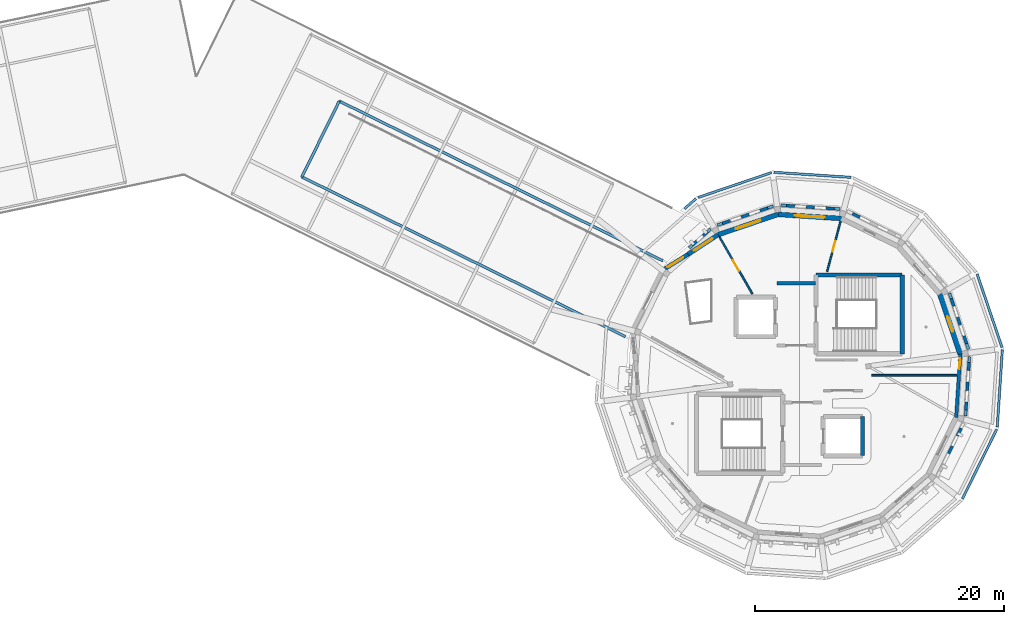
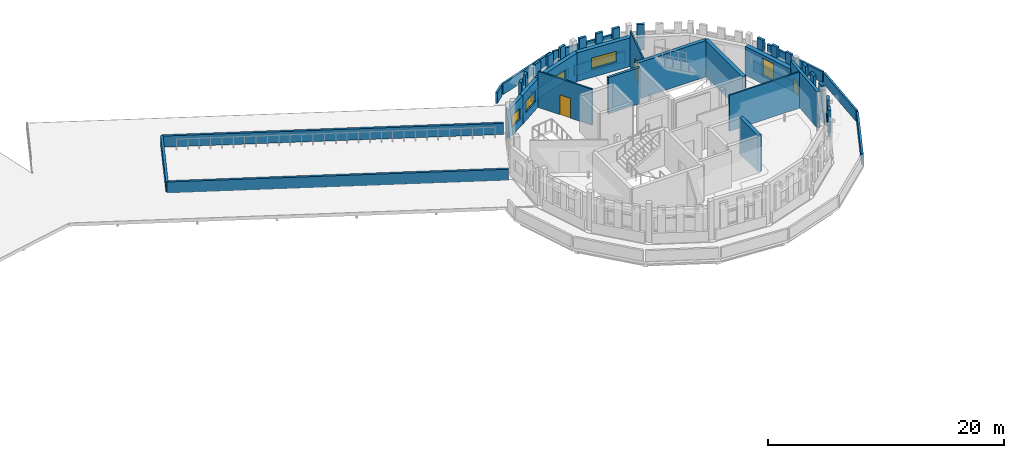
# One storey, part 44 of 51: 44 walls, 6 windows, 2 doors, 8 openings.
"""IFC4 building model written with IfcOpenShell, lengths in metres."""

from ifc_helpers import new_model, si_unit, direction, frame, frame_2d, origin, place, context, subcontext, project, spatial, rectangle, extrude, material, layer, layer_set, type_object, element, fill, save


model = new_model("IFC4")

# Units and contexts
model_context = context("Model", 3, precision=1e-05, world=origin(), true_north=direction((0.0, 1.0)))
body_context = subcontext(model_context, "Body", "Model", "MODEL_VIEW")
ifc_project = project(units=[si_unit("LENGTHUNIT", "METRE"), si_unit("AREAUNIT", "SQUARE_METRE"), si_unit("VOLUMEUNIT", "CUBIC_METRE"), si_unit("PLANEANGLEUNIT", "RADIAN"), si_unit("MASSUNIT", "GRAM", prefix="KILO")], contexts=[model_context])

# Site, building, storey
site_placement = place(None, origin())
site = spatial("IfcSite", under=ifc_project, at=site_placement, CompositionType="ELEMENT")
building_placement = place(site_placement, origin())
building = spatial("IfcBuilding", under=site, at=building_placement, Name="Wrenclough Park School", CompositionType="ELEMENT")
storey_placement = place(building_placement, frame((0.0, 0.0, 16.800048828125)))
storey = spatial("IfcBuildingStorey", under=building, at=storey_placement, Name="L04", CompositionType="ELEMENT", Elevation=16.800048828125)

# Walls
ifc_material_1 = material(Name="Perforated open-bond Staffordshire and Manchester brick screen pier", Category="masonry")
ifc_layer_1 = layer(ifc_material_1, 0.2451171875)
ifc_layer_set_1 = layer_set([ifc_layer_1], Name="Perforated open-bond Staffordshire and Manchester brick screen pier")
wall_type_1 = type_object("IfcWallType", Name="ENV-BS-PR245", PredefinedType="ELEMENTEDWALL", material=ifc_layer_set_1)
for number, where, z_axis, x_axis, name in (
    (1, (187.94970703125, 96.035400390625, 1.08984375), (0.0, 0.0, 1.0), (-0.321384268643, 0.946948864442, 0.0), "D5 L04 perforated brick screen pier 0962"),
    (2, (187.43896484375, 97.540283203125, 1.08984375), (0.0, 0.0, 1.0), (-0.321384268643, 0.946948864442, 0.0), "D5 L04 perforated brick screen pier 0963"),
    (3, (186.92822265625, 99.045166015625, 1.08984375), (0.0, 0.0, 1.0), (-0.321384268643, 0.946948864442, 0.0), "D5 L04 perforated brick screen pier 0964"),
):
    element("IfcWall", number, at=place(storey_placement, frame(where, z_axis=z_axis, x_axis=x_axis)), inside=storey, type_object=wall_type_1, Name=name, PredefinedType="ELEMENTEDWALL", context=body_context, shape_type="SweptSolid", body=[
        extrude(rectangle(XDim=0.6669921875, YDim=0.2451171875, at=frame_2d((0.33349609375, 0.0))), origin(), (0.0, 0.0, 1.0), 2.650146484375),
    ])
wall_1_placement = place(storey_placement, frame((179.367431640625, 106.208984375, 1.08984375), z_axis=(0.0, 0.0, 1.0), x_axis=(-0.896898673202, 0.442236102109, 0.0)))
element("IfcWall", 4, at=wall_1_placement, inside=storey, type_object=wall_type_1, Name="D5 L04 perforated brick screen pier 0970", PredefinedType="ELEMENTEDWALL", context=body_context, shape_type="SweptSolid", body=[
    extrude(rectangle(XDim=0.66796875, YDim=0.2451171875, at=frame_2d((0.333984375, 0.0))), origin(), (0.0, 0.0, 1.0), 2.650146484375),
])
wall_2_placement = place(storey_placement, frame((177.305419921875, 106.896240234375, 1.08984375), z_axis=(0.0, 0.0, 1.0), x_axis=(-0.997858904089, 0.065403421396, 0.0)))
element("IfcWall", 5, at=wall_2_placement, inside=storey, type_object=wall_type_1, Name="D5 L04 perforated brick screen pier 0971", PredefinedType="ELEMENTEDWALL", context=body_context, shape_type="SweptSolid", body=[
    extrude(rectangle(XDim=0.668212890625, YDim=0.2451171875, at=frame_2d((0.333984375, 0.0))), origin(), (0.0, 0.0, 1.0), 2.650146484375),
])
for number, where, z_axis, x_axis, name in (
    (6, (175.71923828125, 107.000244140625, 1.08984375), (0.0, 0.0, 1.0), (-0.997881137909, 0.065063312289, 0.0), "D5 L04 perforated brick screen pier 0972"),
    (7, (174.13330078125, 107.10400390625, 1.08984375), (0.0, 0.0, 1.0), (-0.997857340272, 0.065427276157, 0.0), "D5 L04 perforated brick screen pier 0973"),
):
    element("IfcWall", number, at=place(storey_placement, frame(where, z_axis=z_axis, x_axis=x_axis)), inside=storey, type_object=wall_type_1, Name=name, PredefinedType="ELEMENTEDWALL", context=body_context, shape_type="SweptSolid", body=[
        extrude(rectangle(XDim=0.66796875, YDim=0.2451171875, at=frame_2d((0.333984375, 0.0))), origin(), (0.0, 0.0, 1.0), 2.650146484375),
    ])
for number, where, z_axis, x_axis, name in (
    (8, (171.964599609375, 106.94970703125, 1.08984375), (0.0, 0.0, 1.0), (-0.946948864442, -0.321384268643, 0.0), "D5 L04 perforated brick screen pier 0974"),
    (9, (170.459716796875, 106.43896484375, 1.08984375), (0.0, 0.0, 1.0), (-0.946948864442, -0.321384268643, 0.0), "D5 L04 perforated brick screen pier 0975"),
    (10, (168.954833984375, 105.92822265625, 1.08984375), (0.0, 0.0, 1.0), (-0.946948864442, -0.321384268643, 0.0), "D5 L04 perforated brick screen pier 0976"),
):
    element("IfcWall", number, at=place(storey_placement, frame(where, z_axis=z_axis, x_axis=x_axis)), inside=storey, type_object=wall_type_1, Name=name, PredefinedType="ELEMENTEDWALL", context=body_context, shape_type="SweptSolid", body=[
        extrude(rectangle(XDim=0.6669921875, YDim=0.2451171875, at=frame_2d((0.33349609375, 0.0))), origin(), (0.0, 0.0, 1.0), 2.650146484375),
    ])
for number, where, z_axis, x_axis, name in (
    (11, (167.107177734375, 105.04052734375, 1.08984375), (0.0, 0.0, 1.0), (-0.751697433768, -0.659508125853, 0.0), "D5 L04 perforated brick screen pier 0977"),
    (12, (166.243896484375, 104.28369140625, 1.08984375), (0.0, 0.0, 1.0), (-0.751697433768, -0.659508125853, 0.0), "D5 L04 perforated brick screen pier 0978"),
):
    element("IfcWall", number, at=place(storey_placement, frame(where, z_axis=z_axis, x_axis=x_axis)), inside=storey, type_object=wall_type_1, Name=name, PredefinedType="ELEMENTEDWALL", context=body_context, shape_type="SweptSolid", body=[
        extrude(rectangle(XDim=0.48193359375, YDim=0.2451171875, at=frame_2d((0.240966796875, 0.0))), origin(), (0.0, 0.0, 1.0), 2.650146484375),
    ])
for number, where, z_axis, x_axis, name in (
    (13, (186.505859375, 87.20703125, 1.08984375), (0.0, 0.0, 1.0), (0.442236102109, 0.896898673202, 0.0), "D5 L04 perforated brick screen pier 1000"),
    (14, (187.208984375, 88.632568359375, 1.08984375), (0.0, 0.0, 1.0), (0.442236102109, 0.896898673202, 0.0), "D5 L04 perforated brick screen pier 1001"),
):
    element("IfcWall", number, at=place(storey_placement, frame(where, z_axis=z_axis, x_axis=x_axis)), inside=storey, type_object=wall_type_1, Name=name, PredefinedType="ELEMENTEDWALL", context=body_context, shape_type="SweptSolid", body=[
        extrude(rectangle(XDim=0.66796875, YDim=0.2451171875, at=frame_2d((0.333984375, 0.0))), origin(), (0.0, 0.0, 1.0), 2.650146484375),
    ])
wall_3_placement = place(storey_placement, frame((187.896240234375, 90.694580078125, 1.08984375), z_axis=(0.0, 0.0, 1.0), x_axis=(0.065403421396, 0.997858904089, 0.0)))
element("IfcWall", 15, at=wall_3_placement, inside=storey, type_object=wall_type_1, Name="D5 L04 perforated brick screen pier 1002", PredefinedType="ELEMENTEDWALL", context=body_context, shape_type="SweptSolid", body=[
    extrude(rectangle(XDim=0.668212890625, YDim=0.2451171875, at=frame_2d((0.333984375, 0.0))), origin(), (0.0, 0.0, 1.0), 2.650146484375),
])
for number, where, z_axis, x_axis, name in (
    (16, (188.000244140625, 92.28076171875, 1.08984375), (0.0, 0.0, 1.0), (0.065063312289, 0.997881137909, 0.0), "D5 L04 perforated brick screen pier 1003"),
    (17, (188.10400390625, 93.86669921875, 1.08984375), (0.0, 0.0, 1.0), (0.065427276157, 0.997857340272, 0.0), "D5 L04 perforated brick screen pier 1004"),
):
    element("IfcWall", number, at=place(storey_placement, frame(where, z_axis=z_axis, x_axis=x_axis)), inside=storey, type_object=wall_type_1, Name=name, PredefinedType="ELEMENTEDWALL", context=body_context, shape_type="SweptSolid", body=[
        extrude(rectangle(XDim=0.66796875, YDim=0.2451171875, at=frame_2d((0.333984375, 0.0))), origin(), (0.0, 0.0, 1.0), 2.650146484375),
    ])
ifc_material_2 = material(Name="Open-bond Manchester multi-stock brick spandrel screen", Category="masonry")
ifc_layer_2 = layer(ifc_material_2, 0.22509765625)
ifc_layer_set_2 = layer_set([ifc_layer_2], Name="Open-bond Manchester multi-stock brick spandrel screen")
wall_type_2 = type_object("IfcWallType", Name="ENV-BS-SP225", PredefinedType="ELEMENTEDWALL", material=ifc_layer_set_2)
wall_4_placement = place(storey_placement, frame((188.097900390625, 95.5986328125, 0.0), z_axis=(0.0, 0.0, 1.0), x_axis=(-0.321384907644, 0.946948647572, 0.0)))
element("IfcWall", 18, at=wall_4_placement, inside=storey, type_object=wall_type_2, Name="D5 L04 open-bond brick screen spandrel 0266", PredefinedType="ELEMENTEDWALL", context=body_context, shape_type="SweptSolid", body=[
    extrude(rectangle(XDim=4.767578125, YDim=0.22509765625, at=frame_2d((2.3837890625, 0.0))), origin(), (0.0, 0.0, 1.0), 1.08984375),
])
wall_5_placement = place(storey_placement, frame((177.764892578125, 106.8662109375, 0.0), z_axis=(0.0, 0.0, 1.0), x_axis=(-0.997859962399, 0.065387272782, 0.0)))
element("IfcWall", 19, at=wall_5_placement, inside=storey, type_object=wall_type_2, Name="D5 L04 open-bond brick screen spandrel 0269", PredefinedType="ELEMENTEDWALL", context=body_context, shape_type="SweptSolid", body=[
    extrude(rectangle(XDim=4.76806640625, YDim=0.22509765625, at=frame_2d((2.384033203125, 0.0))), origin(), (0.0, 0.0, 1.0), 1.08984375),
])
wall_6_placement = place(storey_placement, frame((172.4013671875, 107.097900390625, 0.0), z_axis=(0.0, 0.0, 1.0), x_axis=(-0.946948647572, -0.321384907644, 0.0)))
element("IfcWall", 20, at=wall_6_placement, inside=storey, type_object=wall_type_2, Name="D5 L04 open-bond brick screen spandrel 0270", PredefinedType="ELEMENTEDWALL", context=body_context, shape_type="SweptSolid", body=[
    extrude(rectangle(XDim=4.767578125, YDim=0.22509765625, at=frame_2d((2.3837890625, 0.0))), origin(), (0.0, 0.0, 1.0), 1.08984375),
])
wall_7_placement = place(storey_placement, frame((167.357421875, 105.260009765625, 0.0), z_axis=(0.0, 0.0, 1.0), x_axis=(-0.751798879015, -0.659392482146, 0.0)))
element("IfcWall", 21, at=wall_7_placement, inside=storey, type_object=wall_type_2, Name="D5 L04 open-bond brick screen spandrel 0271", PredefinedType="ELEMENTEDWALL", context=body_context, shape_type="SweptSolid", body=[
    extrude(rectangle(XDim=2.2958984375, YDim=0.22509765625, at=frame_2d((1.14794921875, 0.0))), origin(), (0.0, 0.0, 1.0), 1.08984375),
])
wall_8_placement = place(storey_placement, frame((187.8662109375, 90.235107421875, 0.0), z_axis=(0.0, 0.0, 1.0), x_axis=(0.065387272782, 0.997859962399, 0.0)))
element("IfcWall", 22, at=wall_8_placement, inside=storey, type_object=wall_type_2, Name="D5 L04 open-bond brick screen spandrel 0280", PredefinedType="ELEMENTEDWALL", context=body_context, shape_type="SweptSolid", body=[
    extrude(rectangle(XDim=4.76806640625, YDim=0.22509765625, at=frame_2d((2.384033203125, 0.0))), origin(), (0.0, 0.0, 1.0), 1.08984375),
])

# Wall, opening, window
ifc_material_3 = material(Name="Link wing brick-faced cavity wall Concrete C32/40", Category="masonry")
ifc_layer_3 = layer(ifc_material_3, 0.27490234375)
ifc_layer_set_3 = layer_set([ifc_layer_3], Name="Link wing brick-faced cavity wall Concrete C32/40")
wall_type_3 = type_object("IfcWallType", Name="ENV-EW-275", PredefinedType="SOLIDWALL", material=ifc_layer_set_3)
wall_9_placement = place(storey_placement, frame((187.44580078125, 95.204345703125, 0.0), z_axis=(0.0, 0.0, 1.0), x_axis=(-0.065364406289, -0.99786146052, 0.0)))
wall_9 = element("IfcWall", 23, at=wall_9_placement, inside=storey, type_object=wall_type_3, Name="L04 insulated brick external wall 0350", PredefinedType="SOLIDWALL", context=body_context, shape_type="SweptSolid", body=[
    extrude(rectangle(XDim=5.0947265625, YDim=0.27490234375, at=frame_2d((2.54736328125, 0.0))), origin(), (0.0, 0.0, 1.0), 3.739990234375),
])
opening_1_placement = place(wall_9_placement, frame((0.35009765625, 0.0, 0.85009765625)))
opening_1 = element("IfcOpeningElement", 24, at=opening_1_placement, cuts=wall_9, Name="Opening WN-01", PredefinedType="OPENING", context=body_context, shape_type="SweptSolid", body=[
    extrude(rectangle(XDim=0.85009765625, YDim=1.39990234375, at=frame_2d((0.425048828125, 0.699951171875))), frame((0.0, 0.1474609375, 0.0), z_axis=(0.0, -1.0, 0.0), x_axis=(1.0, 0.0, 0.0)), (0.0, 0.0, 1.0), 0.294921875),
])
ifc_material_4 = material(Name="Thermally broken aluminium and double-glazed low-e glass", Category="aluminium")
window_type_1 = type_object("IfcWindowType", Name="ENV-WN-01", PartitioningType="SINGLE_PANEL", PredefinedType="WINDOW", material=ifc_material_4)
window_1_placement = place(opening_1_placement, origin())
window_1 = element("IfcWindow", 25, at=window_1_placement, inside=storey, type_object=window_type_1, Name="L04 scheduled facade window 0587", OverallHeight=1.39990234375, OverallWidth=0.85009765625, PartitioningType="SINGLE_PANEL", PredefinedType="WINDOW", context=body_context, shape_type="SweptSolid", body=[
    extrude(rectangle(XDim=0.85009765625, YDim=1.39990234375, at=frame_2d((0.425048828125, 0.699951171875))), frame((0.0, 0.030029296875, 0.0), z_axis=(0.0, -1.0, 0.0), x_axis=(1.0, 0.0, 0.0)), (0.0, 0.0, 1.0), 0.06005859375),
])
fill(opening_1, window_1)

ifc_material_5 = material(Name="Manchester multi-stock brick and Concrete C32/40 inner leaf", Category="masonry")
ifc_layer_4 = layer(ifc_material_5, 0.324951171875)
ifc_layer_set_4 = layer_set([ifc_layer_4], Name="Manchester multi-stock brick and Concrete C32/40 inner leaf")
wall_type_4 = type_object("IfcWallType", Name="ENV-EW-325", PredefinedType="SOLIDWALL", material=ifc_layer_set_4)
wall_10_placement = place(storey_placement, frame((163.490234375, 101.9482421875, 0.0), z_axis=(0.0, 0.0, 1.0), x_axis=(0.850137262185, 0.526561141222, 0.0)))
wall_10 = element("IfcWall", 26, at=wall_10_placement, inside=storey, type_object=wall_type_4, Name="L04 insulated brick external wall 0361", PredefinedType="SOLIDWALL", context=body_context, shape_type="SweptSolid", body=[
    extrude(rectangle(XDim=2.441650390625, YDim=0.324951171875, at=frame_2d((1.220703125, 0.0))), origin(), (0.0, 0.0, 1.0), 2.98193359375),
])
opening_2_placement = place(wall_10_placement, frame((0.470703125, 0.0, 0.85009765625)))
opening_2 = element("IfcOpeningElement", 27, at=opening_2_placement, cuts=wall_10, Name="Opening WN-38", PredefinedType="OPENING", context=body_context, shape_type="SweptSolid", body=[
    extrude(rectangle(XDim=1.5, YDim=1.14990234375, at=frame_2d((0.75, 0.574951171875))), frame((0.0, 0.17236328125, 0.0), z_axis=(0.0, -1.0, 0.0), x_axis=(1.0, 0.0, 0.0)), (0.0, 0.0, 1.0), 0.344970703125),
])
window_type_2 = type_object("IfcWindowType", Name="ENV-WN-38", PartitioningType="DOUBLE_PANEL_VERTICAL", PredefinedType="WINDOW", material=ifc_material_4)
window_2_placement = place(opening_2_placement, origin())
window_2 = element("IfcWindow", 28, at=window_2_placement, inside=storey, type_object=window_type_2, Name="L04 scheduled facade window 0597", OverallHeight=1.14990234375, OverallWidth=1.5, PartitioningType="SINGLE_PANEL", PredefinedType="WINDOW", context=body_context, shape_type="SweptSolid", body=[
    extrude(rectangle(XDim=1.5, YDim=1.14990234375, at=frame_2d((0.75, 0.574951171875))), frame((0.0, 0.030029296875, 0.0), z_axis=(0.0, -1.0, 0.0), x_axis=(1.0, 0.0, 0.0)), (0.0, 0.0, 1.0), 0.06005859375),
])
fill(opening_2, window_2)

ifc_material_6 = material(Name="Staffordshire blue-grey brick and Concrete C35/45 inner leaf", Category="masonry")
ifc_layer_5 = layer(ifc_material_6, 0.35009765625)
ifc_layer_set_5 = layer_set([ifc_layer_5], Name="Staffordshire blue-grey brick and Concrete C35/45 inner leaf")
wall_type_5 = type_object("IfcWallType", Name="ENV-EW-350", PredefinedType="SOLIDWALL", material=ifc_layer_set_5)
wall_11_placement = place(storey_placement, frame((165.56591796875, 103.23388671875, 0.0), z_axis=(0.0, 0.0, 1.0), x_axis=(0.83668524292, 0.547684036905, 0.0)))
wall_11 = element("IfcWall", 29, at=wall_11_placement, inside=storey, type_object=wall_type_5, Name="L04 insulated brick external wall 0362", PredefinedType="SOLIDWALL", context=body_context, shape_type="SweptSolid", body=[
    extrude(rectangle(XDim=2.874755859375, YDim=0.35009765625, at=frame_2d((1.4375, 0.0))), origin(), (0.0, 0.0, 1.0), 2.98193359375),
])
opening_3_placement = place(wall_11_placement, frame((0.537353515625, 0.0, 0.85009765625)))
opening_3 = element("IfcOpeningElement", 30, at=opening_3_placement, cuts=wall_11, Name="Opening WN-39", PredefinedType="OPENING", context=body_context, shape_type="SweptSolid", body=[
    extrude(rectangle(XDim=1.800048828125, YDim=1.14990234375, at=frame_2d((0.89990234375, 0.574951171875))), frame((0.0, 0.18505859375, 0.0), z_axis=(0.0, -1.0, 0.0), x_axis=(1.0, 0.0, 0.0)), (0.0, 0.0, 1.0), 0.3701171875),
])
window_type_3 = type_object("IfcWindowType", Name="ENV-WN-39", PartitioningType="DOUBLE_PANEL_VERTICAL", PredefinedType="WINDOW", material=ifc_material_4)
window_3_placement = place(opening_3_placement, origin())
window_3 = element("IfcWindow", 31, at=window_3_placement, inside=storey, type_object=window_type_3, Name="L04 scheduled facade window 0598", OverallHeight=1.14990234375, OverallWidth=1.800048828125, PartitioningType="SINGLE_PANEL", PredefinedType="WINDOW", context=body_context, shape_type="SweptSolid", body=[
    extrude(rectangle(XDim=1.800048828125, YDim=1.14990234375, at=frame_2d((0.89990234375, 0.574951171875))), frame((0.0, 0.030029296875, 0.0), z_axis=(0.0, -1.0, 0.0), x_axis=(1.0, 0.0, 0.0)), (0.0, 0.0, 1.0), 0.06005859375),
])
fill(opening_3, window_3)

ifc_material_7 = material(Name="Manchester multi-stock brick and Concrete C35/45 inner leaf", Category="masonry")
ifc_layer_6 = layer(ifc_material_7, 0.3798828125)
ifc_layer_set_6 = layer_set([ifc_layer_6], Name="Manchester multi-stock brick and Concrete C35/45 inner leaf")
wall_type_6 = type_object("IfcWallType", Name="ENV-EW-380", PredefinedType="SOLIDWALL", material=ifc_layer_set_6)
wall_12_placement = place(storey_placement, frame((167.97119140625, 104.808349609375, 0.0), z_axis=(0.0, 0.0, 1.0), x_axis=(0.946944067006, 0.321398403796, 0.0)))
wall_12 = element("IfcWall", 32, at=wall_12_placement, inside=storey, type_object=wall_type_6, Name="L04 insulated brick external wall 0363", PredefinedType="SOLIDWALL", context=body_context, shape_type="SweptSolid", body=[
    extrude(rectangle(XDim=5.0947265625, YDim=0.3798828125, at=frame_2d((2.54736328125, 0.0))), origin(), (0.0, 0.0, 1.0), 2.98193359375),
])
opening_4_placement = place(wall_12_placement, frame((1.49755859375, 0.0, 0.85009765625)))
opening_4 = element("IfcOpeningElement", 33, at=opening_4_placement, cuts=wall_12, Name="Opening WN-40", PredefinedType="OPENING", context=body_context, shape_type="SweptSolid", body=[
    extrude(rectangle(XDim=2.10009765625, YDim=1.14990234375, at=frame_2d((1.050048828125, 0.574951171875))), frame((0.0, 0.199951171875, 0.0), z_axis=(0.0, -1.0, 0.0), x_axis=(1.0, 0.0, 0.0)), (0.0, 0.0, 1.0), 0.39990234375),
])
window_type_4 = type_object("IfcWindowType", Name="ENV-WN-40", PartitioningType="DOUBLE_PANEL_VERTICAL", PredefinedType="WINDOW", material=ifc_material_4)
window_4_placement = place(opening_4_placement, origin())
window_4 = element("IfcWindow", 34, at=window_4_placement, inside=storey, type_object=window_type_4, Name="L04 scheduled facade window 0599", OverallHeight=1.14990234375, OverallWidth=2.10009765625, PartitioningType="SINGLE_PANEL", PredefinedType="WINDOW", context=body_context, shape_type="SweptSolid", body=[
    extrude(rectangle(XDim=2.10009765625, YDim=1.14990234375, at=frame_2d((1.050048828125, 0.574951171875))), frame((0.0, 0.030029296875, 0.0), z_axis=(0.0, -1.0, 0.0), x_axis=(1.0, 0.0, 0.0)), (0.0, 0.0, 1.0), 0.06005859375),
])
fill(opening_4, window_4)

ifc_material_8 = material(Name="Staffordshire blue-grey brick and Concrete C40/50 acoustic leaf", Category="masonry")
ifc_layer_7 = layer(ifc_material_8, 0.39990234375)
ifc_layer_set_7 = layer_set([ifc_layer_7], Name="Staffordshire blue-grey brick and Concrete C40/50 acoustic leaf")
wall_type_7 = type_object("IfcWallType", Name="ENV-EW-400", PredefinedType="SOLIDWALL", material=ifc_layer_set_7)
wall_13_placement = place(storey_placement, frame((172.795654296875, 106.44580078125, 0.0), z_axis=(0.0, 0.0, 1.0), x_axis=(0.99786146052, -0.065364406289, 0.0)))
wall_13 = element("IfcWall", 35, at=wall_13_placement, inside=storey, type_object=wall_type_7, Name="L04 insulated brick external wall 0364", PredefinedType="SOLIDWALL", context=body_context, shape_type="SweptSolid", body=[
    extrude(rectangle(XDim=5.0947265625, YDim=0.39990234375, at=frame_2d((2.54736328125, 0.0))), origin(), (0.0, 0.0, 1.0), 2.98193359375),
])
opening_5_placement = place(wall_13_placement, frame((1.347412109375, 0.0, 0.85009765625)))
opening_5 = element("IfcOpeningElement", 36, at=opening_5_placement, cuts=wall_13, Name="Opening WN-41", PredefinedType="OPENING", context=body_context, shape_type="SweptSolid", body=[
    extrude(rectangle(XDim=2.39990234375, YDim=1.14990234375, at=frame_2d((1.199951171875, 0.574951171875))), frame((0.0, 0.2099609375, 0.0), z_axis=(0.0, -1.0, 0.0), x_axis=(1.0, 0.0, 0.0)), (0.0, 0.0, 1.0), 0.419921875),
])
window_type_5 = type_object("IfcWindowType", Name="ENV-WN-41", PartitioningType="DOUBLE_PANEL_VERTICAL", PredefinedType="WINDOW", material=ifc_material_4)
window_5_placement = place(opening_5_placement, origin())
window_5 = element("IfcWindow", 37, at=window_5_placement, inside=storey, type_object=window_type_5, Name="L04 scheduled facade window 0600", OverallHeight=1.14990234375, OverallWidth=2.39990234375, PartitioningType="SINGLE_PANEL", PredefinedType="WINDOW", context=body_context, shape_type="SweptSolid", body=[
    extrude(rectangle(XDim=2.39990234375, YDim=1.14990234375, at=frame_2d((1.199951171875, 0.574951171875))), frame((0.0, 0.030029296875, 0.0), z_axis=(0.0, -1.0, 0.0), x_axis=(1.0, 0.0, 0.0)), (0.0, 0.0, 1.0), 0.06005859375),
])
fill(opening_5, window_5)

ifc_material_9 = material(Name="Insulated brick-clad sports hall wall Concrete C40/50", Category="masonry")
ifc_layer_8 = layer(ifc_material_9, 0.425048828125)
ifc_layer_set_8 = layer_set([ifc_layer_8], Name="Insulated brick-clad sports hall wall Concrete C40/50")
wall_type_8 = type_object("IfcWallType", Name="ENV-EW-425", PredefinedType="SOLIDWALL", material=ifc_layer_set_8)
wall_14_placement = place(storey_placement, frame((185.808349609375, 100.02880859375, 0.0), z_axis=(0.0, 0.0, 1.0), x_axis=(0.321398403796, -0.946944067006, 0.0)))
wall_14 = element("IfcWall", 38, at=wall_14_placement, inside=storey, type_object=wall_type_8, Name="L04 insulated brick external wall 0349", PredefinedType="SOLIDWALL", context=body_context, shape_type="SweptSolid", body=[
    extrude(rectangle(XDim=5.0947265625, YDim=0.425048828125, at=frame_2d((2.54736328125, 0.0))), origin(), (0.0, 0.0, 1.0), 2.98193359375),
])
opening_6_placement = place(wall_14_placement, frame((1.8974609375, 0.0, 0.85009765625)))
opening_6 = element("IfcOpeningElement", 39, at=opening_6_placement, cuts=wall_14, Name="Opening WN-27", PredefinedType="OPENING", context=body_context, shape_type="SweptSolid", body=[
    extrude(rectangle(XDim=1.300048828125, YDim=1.800048828125, at=frame_2d((0.64990234375, 0.89990234375))), frame((0.0, 0.222412109375, 0.0), z_axis=(0.0, -1.0, 0.0), x_axis=(1.0, 0.0, 0.0)), (0.0, 0.0, 1.0), 0.445068359375),
])
window_type_6 = type_object("IfcWindowType", Name="ENV-WN-27", PartitioningType="SINGLE_PANEL", PredefinedType="WINDOW", material=ifc_material_4)
window_6_placement = place(opening_6_placement, origin())
window_6 = element("IfcWindow", 40, at=window_6_placement, inside=storey, type_object=window_type_6, Name="L04 scheduled facade window 0586", OverallHeight=1.800048828125, OverallWidth=1.300048828125, PartitioningType="SINGLE_PANEL", PredefinedType="WINDOW", context=body_context, shape_type="SweptSolid", body=[
    extrude(rectangle(XDim=1.300048828125, YDim=1.800048828125, at=frame_2d((0.64990234375, 0.89990234375))), frame((0.0, 0.030029296875, 0.0), z_axis=(0.0, -1.0, 0.0), x_axis=(1.0, 0.0, 0.0)), (0.0, 0.0, 1.0), 0.06005859375),
])
fill(opening_6, window_6)

# Walls
ifc_material_10 = material(Name="Patinated copper-coped link roof parapet", Category="masonry")
ifc_layer_9 = layer(ifc_material_10, 0.18994140625)
ifc_layer_set_9 = layer_set([ifc_layer_9], Name="Patinated copper-coped link roof parapet")
wall_type_9 = type_object("IfcWallType", Name="ENV-PW-190", PredefinedType="PARAPET", material=ifc_layer_set_9)
for number, where, z_axis, x_axis, name in (
    (41, (187.610595703125, 83.5576171875, 0.0), (0.0, 0.0, 1.0), (0.442290327495, 0.896871934116, 0.0), "D5-STEP-ROOF cylindrical drum parapet wall 062"),
    (42, (190.41748046875, 89.33154296875, 0.0), (0.0, 0.0, 1.0), (0.065409601125, 0.997858499027, 0.0), "D5-STEP-ROOF cylindrical drum parapet wall 063"),
    (43, (190.801025390625, 95.740234375, 0.0), (0.0, 0.0, 1.0), (-0.321448662143, 0.946927007539, 0.0), "D5-STEP-ROOF cylindrical drum parapet wall 064"),
    (44, (178.66845703125, 109.41748046875, 0.0), (0.0, 0.0, 1.0), (-0.997858499027, 0.065409601125, 0.0), "D5-STEP-ROOF cylindrical drum parapet wall 067"),
    (45, (172.259765625, 109.801025390625, 0.0), (0.0, 0.0, 1.0), (-0.946927007539, -0.321448662143, 0.0), "D5-STEP-ROOF cylindrical drum parapet wall 068"),
):
    element("IfcWall", number, at=place(storey_placement, frame(where, z_axis=z_axis, x_axis=x_axis)), inside=storey, type_object=wall_type_9, Name=name, PredefinedType="PARAPET", context=body_context, shape_type="SweptSolid", body=[
        extrude(rectangle(XDim=6.237060546875, YDim=0.18994140625, at=frame_2d((3.11865234375, 0.0))), origin(), (0.0, 0.0, 1.0), 1.119873046875),
    ])
wall_15_placement = place(storey_placement, frame((166.192138671875, 107.702880859375, 0.0), z_axis=(0.0, 0.0, 1.0), x_axis=(-0.751859704857, -0.659323125798, 0.0)))
element("IfcWall", 46, at=wall_15_placement, inside=storey, type_object=wall_type_9, Name="D5-STEP-ROOF cylindrical drum parapet wall 069", PredefinedType="PARAPET", context=body_context, shape_type="SweptSolid", body=[
    extrude(rectangle(XDim=1.22412109375, YDim=0.18994140625, at=frame_2d((0.612060546875, 0.0))), origin(), (0.0, 0.0, 1.0), 1.119873046875),
])
ifc_material_11 = material(Name="Capped Staffordshire blue-grey brick parapet", Category="masonry")
ifc_layer_10 = layer(ifc_material_11, 0.215087890625)
ifc_layer_set_10 = layer_set([ifc_layer_10], Name="Capped Staffordshire blue-grey brick parapet")
wall_type_10 = type_object("IfcWallType", Name="ENV-PW-215", PredefinedType="PARAPET", material=ifc_layer_set_10)
wall_16_placement = place(storey_placement, frame((134.495361328125, 109.451171875, 0.0), z_axis=(0.0, 0.0, 1.0), x_axis=(0.896743441965, -0.442550787247, 0.0)))
element("IfcWall", 47, at=wall_16_placement, inside=storey, type_object=wall_type_10, Name="Play deck PD-4 dividing parapet wall 013", PredefinedType="PARAPET", context=body_context, shape_type="SweptSolid", body=[
    extrude(rectangle(XDim=29.023681640625, YDim=0.215087890625, at=frame_2d((14.51171875, 0.0))), origin(), (0.0, 0.0, 1.0), 1.14990234375),
])
wall_17_placement = place(storey_placement, frame((163.53271484375, 102.703857421875, 0.0), z_axis=(0.0, 0.0, 1.0), x_axis=(-0.896745002664, 0.442547624778, 0.0)))
element("IfcWall", 48, at=wall_17_placement, inside=storey, type_object=wall_type_10, Name="Play deck PD-4 dividing parapet wall 014", PredefinedType="PARAPET", context=body_context, shape_type="SweptSolid", body=[
    extrude(rectangle(XDim=29.025146484375, YDim=0.215087890625, at=frame_2d((14.5126953125, 0.0))), origin(), (0.0, 0.0, 1.0), 1.14990234375),
])
wall_18_placement = place(storey_placement, frame((137.504638671875, 115.548828125, 0.0), z_axis=(0.0, 0.0, 1.0), x_axis=(-0.442554367636, -0.896741675002, 0.0)))
element("IfcWall", 49, at=wall_18_placement, inside=storey, type_object=wall_type_10, Name="Play deck PD-4 dividing parapet wall 015", PredefinedType="PARAPET", context=body_context, shape_type="SweptSolid", body=[
    extrude(rectangle(XDim=6.7998046875, YDim=0.215087890625, at=frame_2d((3.39990234375, 0.0))), origin(), (0.0, 0.0, 1.0), 1.14990234375),
])
ifc_material_12 = material(Name="Concrete C35/45", Category="concrete")
ifc_layer_11 = layer(ifc_material_12, 0.25)
ifc_layer_set_11 = layer_set([ifc_layer_11], Name="Concrete C35/45")
wall_type_11 = type_object("IfcWallType", Name="INT-CW-250", PredefinedType="SHEAR", material=ifc_layer_set_11)
wall_19_placement = place(storey_placement, frame((175.800048828125, 100.89990234375, 0.0), z_axis=(0.0, 0.0, 1.0), x_axis=(-1.0, 0.0, 0.0)))
element("IfcWall", 50, at=wall_19_placement, inside=storey, type_object=wall_type_11, Name="Core C6 L04 lobby fire wall north", PredefinedType="SHEAR", context=body_context, shape_type="SweptSolid", body=[
    extrude(rectangle(XDim=3.10009765625, YDim=0.25, at=frame_2d((1.550048828125, 0.0))), origin(), (0.0, 0.0, 1.0), 3.75),
])
ifc_material_13 = material(Name="Concrete C40/50", Category="concrete")
ifc_layer_12 = layer(ifc_material_13, 0.340087890625)
ifc_layer_set_12 = layer_set([ifc_layer_12], Name="Concrete C40/50")
wall_type_12 = type_object("IfcWallType", Name="INT-CW-340", PredefinedType="SHEAR", material=ifc_layer_set_12)
wall_20_placement = place(storey_placement, frame((179.570068359375, 87.030029296875, 0.0), z_axis=(0.0, 0.0, 1.0), x_axis=(0.0, 1.0, 0.0)))
element("IfcWall", 51, at=wall_20_placement, inside=storey, type_object=wall_type_12, Name="Lift LFT-01 L04 east shaft wall", PredefinedType="SHEAR", context=body_context, shape_type="SweptSolid", body=[
    extrude(rectangle(XDim=3.139892578125, YDim=0.340087890625, at=frame_2d((1.56982421875, 0.0))), origin(), (0.0, 0.0, 1.0), 3.75),
])
wall_21_placement = place(storey_placement, frame((182.77001953125, 95.22998046875, 0.0), z_axis=(0.0, 0.0, 1.0), x_axis=(0.0, 1.0, 0.0)))
element("IfcWall", 52, at=wall_21_placement, inside=storey, type_object=wall_type_12, Name="Core C6 L04 east shear wall", PredefinedType="SHEAR", context=body_context, shape_type="SweptSolid", body=[
    extrude(rectangle(XDim=6.340087890625, YDim=0.340087890625, at=frame_2d((3.169921875, 0.0))), origin(), (0.0, 0.0, 1.0), 3.75),
])
wall_22_placement = place(storey_placement, frame((182.77001953125, 101.570068359375, 0.0), z_axis=(0.0, 0.0, 1.0), x_axis=(-1.0, 0.0, 0.0)))
element("IfcWall", 53, at=wall_22_placement, inside=storey, type_object=wall_type_12, Name="Core C6 L04 north shear wall", PredefinedType="SHEAR", context=body_context, shape_type="SweptSolid", body=[
    extrude(rectangle(XDim=6.93994140625, YDim=0.340087890625, at=frame_2d((3.469970703125, 0.0))), origin(), (0.0, 0.0, 1.0), 3.75),
])

# Wall, opening, door
ifc_material_14 = material(Name="Standard fire-rated room partition", Category="gypsum")
ifc_layer_13 = layer(ifc_material_14, 0.1298828125)
ifc_layer_set_13 = layer_set([ifc_layer_13], Name="Standard fire-rated room partition")
wall_type_13 = type_object("IfcWallType", Name="INT-PW-130", PredefinedType="PARTITIONING", material=ifc_layer_set_13)
wall_23_placement = place(storey_placement, frame((177.8203125, 105.89111328125, 0.0), z_axis=(0.0, 0.0, 1.0), x_axis=(-0.258834164174, -0.965921775019, 0.0)))
wall_23 = element("IfcWall", 54, at=wall_23_placement, inside=storey, type_object=wall_type_13, Name="L04 internal partition 0509", PredefinedType="PARTITIONING", context=body_context, shape_type="SweptSolid", body=[
    extrude(rectangle(XDim=4.18896484375, YDim=0.1298828125, at=frame_2d((2.094482421875, 0.0))), origin(), (0.0, 0.0, 1.0), 3.72998046875),
])
opening_7_placement = place(wall_23_placement, frame((1.64453125, 0.0, 0.0)))
opening_7 = element("IfcOpeningElement", 55, at=opening_7_placement, cuts=wall_23, Name="Opening DR-L04-112", PredefinedType="OPENING", context=body_context, shape_type="SweptSolid", body=[
    extrude(rectangle(XDim=0.89990234375, YDim=2.050048828125, at=frame_2d((0.449951171875, 1.02490234375))), frame((0.0, 0.074951171875, 0.0), z_axis=(0.0, -1.0, 0.0), x_axis=(1.0, 0.0, 0.0)), (0.0, 0.0, 1.0), 0.14990234375),
])
ifc_material_15 = material(Name="Staff office fire-rated timber door assembly", Category="wood")
door_type_1 = type_object("IfcDoorType", Name="INT-DR-OFF090", OperationType="NOTDEFINED", PredefinedType="DOOR", material=ifc_material_15)
door_1_placement = place(opening_7_placement, origin())
door_1 = element("IfcDoor", 56, at=door_1_placement, inside=storey, type_object=door_type_1, Name="Careers Guidance Staff Office door DR-L04-112", OperationType="SINGLE_SWING_LEFT", OverallHeight=2.050048828125, OverallWidth=0.89990234375, PredefinedType="DOOR", context=body_context, shape_type="SweptSolid", body=[
    extrude(rectangle(XDim=0.89990234375, YDim=2.050048828125, at=frame_2d((0.449951171875, 1.02490234375))), frame((0.0, 0.02490234375, 0.0), z_axis=(0.0, -1.0, 0.0), x_axis=(1.0, 0.0, 0.0)), (0.0, 0.0, 1.0), 0.050048828125),
])
fill(opening_7, door_1)

# Wall
ifc_material_16 = material(Name="Protected corridor partition", Category="gypsum")
ifc_layer_14 = layer(ifc_material_16, 0.14990234375)
ifc_layer_set_14 = layer_set([ifc_layer_14], Name="Protected corridor partition")
wall_type_14 = type_object("IfcWallType", Name="INT-PW-150", PredefinedType="PARTITIONING", material=ifc_layer_set_14)
wall_24_placement = place(storey_placement, frame((187.17138671875, 93.5, 0.0), z_axis=(0.0, 0.0, 1.0), x_axis=(-1.0, 0.0, 0.0)))
element("IfcWall", 57, at=wall_24_placement, inside=storey, type_object=wall_type_14, Name="L04 internal partition 0507", PredefinedType="PARTITIONING", context=body_context, shape_type="SweptSolid", body=[
    extrude(rectangle(XDim=6.85400390625, YDim=0.14990234375, at=frame_2d((3.427001953125, 0.0))), origin(), (0.0, 0.0, 1.0), 3.72998046875),
])

# Wall, opening, door
ifc_material_17 = material(Name="Moisture-resistant sanitary service wall", Category="gypsum")
ifc_layer_15 = layer(ifc_material_17, 0.139892578125)
ifc_layer_set_15 = layer_set([ifc_layer_15], Name="Moisture-resistant sanitary service wall")
wall_type_15 = type_object("IfcWallType", Name="INT-SV-140", PredefinedType="PLUMBINGWALL", material=ifc_layer_set_15)
wall_25_placement = place(storey_placement, frame((168.080810546875, 104.618408203125, 0.0), z_axis=(0.0, 0.0, 1.0), x_axis=(0.499986870703, -0.866032983855, 0.0)))
wall_25 = element("IfcWall", 58, at=wall_25_placement, inside=storey, type_object=wall_type_15, Name="L04 internal partition 0511", PredefinedType="PLUMBINGWALL", context=body_context, shape_type="SweptSolid", body=[
    extrude(rectangle(XDim=5.275146484375, YDim=0.139892578125, at=frame_2d((2.6376953125, 0.0))), origin(), (0.0, 0.0, 1.0), 3.72998046875),
])
opening_8_placement = place(wall_25_placement, frame((2.127685546875, 0.0, 0.0)))
opening_8 = element("IfcOpeningElement", 59, at=opening_8_placement, cuts=wall_25, Name="Opening DR-L04-113", PredefinedType="OPENING", context=body_context, shape_type="SweptSolid", body=[
    extrude(rectangle(XDim=1.02001953125, YDim=2.06005859375, at=frame_2d((0.510009765625, 1.030029296875))), frame((0.0, 0.079833984375, 0.0), z_axis=(0.0, -1.0, 0.0), x_axis=(1.0, 0.0, 0.0)), (0.0, 0.0, 1.0), 0.159912109375),
])
ifc_material_18 = material(Name="Accessible WC outward-opening fire door assembly", Category="wood")
door_type_2 = type_object("IfcDoorType", Name="INT-DR-AWC102", OperationType="NOTDEFINED", PredefinedType="DOOR", material=ifc_material_18)
door_2_placement = place(opening_8_placement, frame((1.02001953125, 0.0, 0.0), z_axis=(0.0, 0.0, 1.0), x_axis=(-1.0, 0.0, 0.0)))
door_2 = element("IfcDoor", 60, at=door_2_placement, inside=storey, type_object=door_type_2, Name="Accessible WC D5 Fourth door DR-L04-113", OperationType="SINGLE_SWING_RIGHT", OverallHeight=2.06005859375, OverallWidth=1.02001953125, PredefinedType="DOOR", context=body_context, shape_type="SweptSolid", body=[
    extrude(rectangle(XDim=1.02001953125, YDim=2.06005859375, at=frame_2d((0.510009765625, 1.030029296875))), frame((0.0, 0.02490234375, 0.0), z_axis=(0.0, -1.0, 0.0), x_axis=(1.0, 0.0, 0.0)), (0.0, 0.0, 1.0), 0.050048828125),
])
fill(opening_8, door_2)

save(model, "model.ifc")
